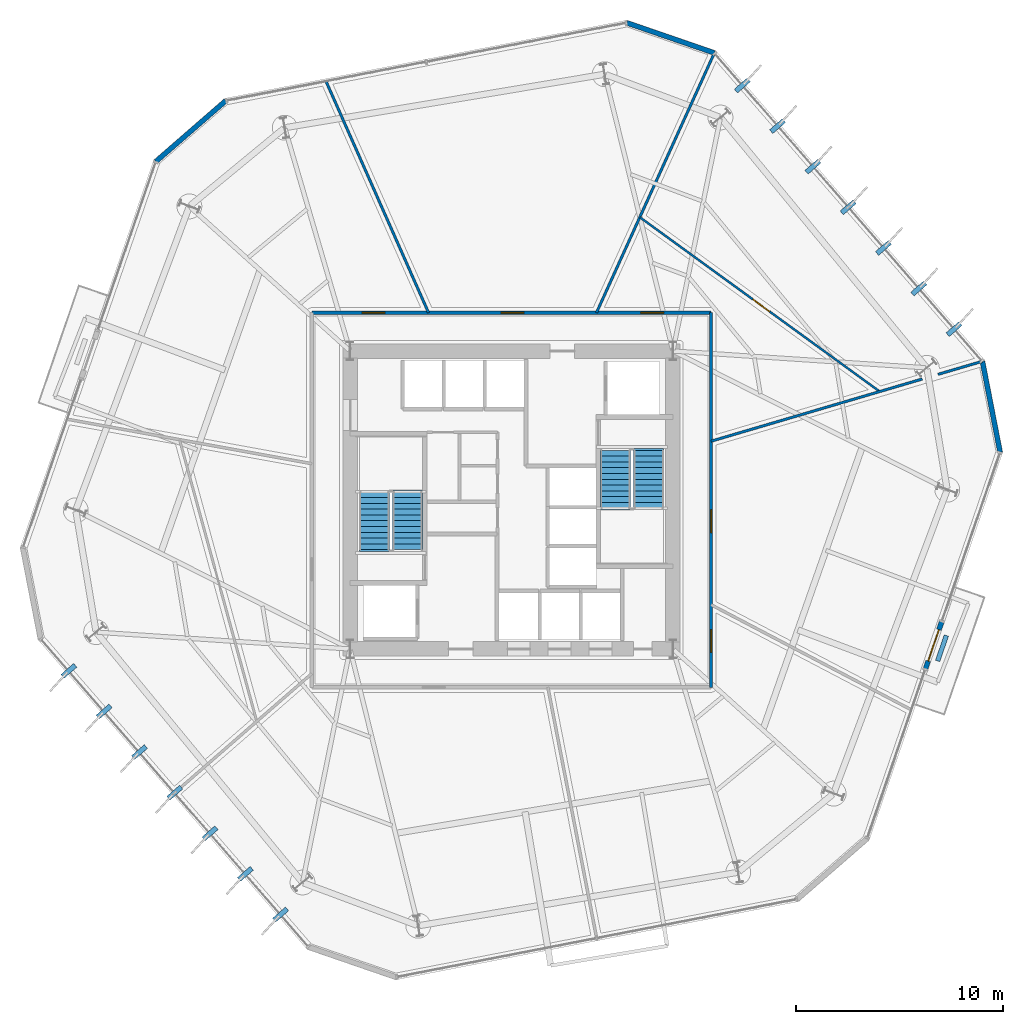
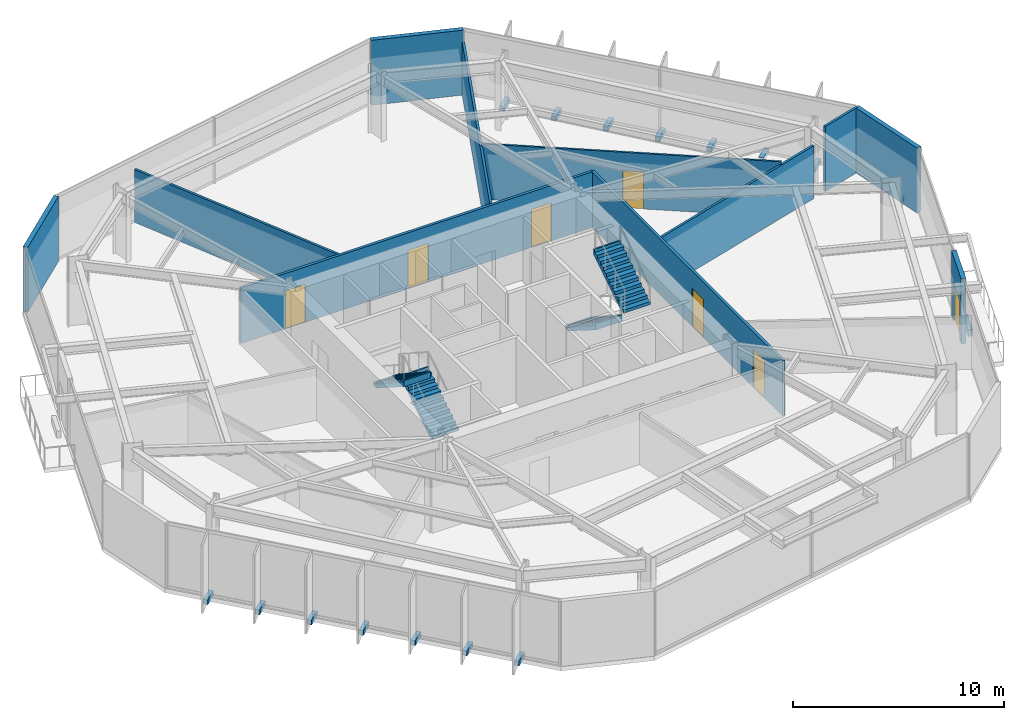
# One storey, part 7 of 10: 14 discrete accessories, 12 walls, 7 doors, 4 stair flights, 7 openings, 2 elements without a shape of their own.
"""IFC4 building model written with IfcOpenShell, lengths in metres."""

from ifc_helpers import new_model, si_unit, direction, frame, frame_2d, origin, origin_2d, place, context, subcontext, project, spatial, polyline, rectangle, outline, extrude, material, layer, layer_set, type_object, element, fill, aggregate, save


model = new_model("IFC4")

# Units and contexts
model_context = context("Model", 3, precision=1e-05, world=origin(), true_north=direction((0.0, 1.0)))
body_context = subcontext(model_context, "Body", "Model", "MODEL_VIEW")
ifc_project = project(units=[si_unit("LENGTHUNIT", "METRE"), si_unit("AREAUNIT", "SQUARE_METRE"), si_unit("VOLUMEUNIT", "CUBIC_METRE"), si_unit("PLANEANGLEUNIT", "RADIAN"), si_unit("MASSUNIT", "GRAM", prefix="KILO")], contexts=[model_context])

# Site, building, storey
site_placement = place(None, origin())
site = spatial("IfcSite", under=ifc_project, at=site_placement, CompositionType="ELEMENT")
building_placement = place(site_placement, origin())
building = spatial("IfcBuilding", under=site, at=building_placement, Name="Kranzbogen Civic Tower", CompositionType="ELEMENT")
storey_placement = place(building_placement, frame((0.0, 0.0, 64.0)))
storey = spatial("IfcBuildingStorey", under=building, at=storey_placement, Name="L15", CompositionType="ELEMENT", Elevation=64.0)

# Wall, openings, doors
ifc_material_1 = material(Name="Double-Stud Acoustic Gypsum Partition")
ifc_layer_1 = layer(ifc_material_1, 0.14990234375, Name="Double-Stud Acoustic Gypsum Partition")
ifc_layer_set_1 = layer_set([ifc_layer_1], Name="Double-Stud Acoustic Gypsum Partition")
wall_type_1 = type_object("IfcWallType", Name="Acoustic Corridor and Clinical Partition 150 mm", PredefinedType="PARTITIONING", material=ifc_layer_set_1)
wall_1_placement = place(storey_placement, frame((15.35009765625, 34.050048828125, 0.0), z_axis=(0.0, 0.0, 1.0), x_axis=(1.0, 0.0, 0.0)))
wall_1 = element("IfcWall", 1, at=wall_1_placement, inside=storey, type_object=wall_type_1, Name="L15 corridor partition 01", PredefinedType="PARTITIONING", context=body_context, shape_type="SweptSolid", body=[
    extrude(rectangle(XDim=19.2998046875, YDim=0.14990234375, at=frame_2d((9.64990234375, 0.0))), origin(), (0.0, 0.0, 1.0), 3.2099609375),
])
opening_1_placement = place(wall_1_placement, frame((15.902099609375, 0.0, 0.0)))
opening_1 = element("IfcOpeningElement", 2, at=opening_1_placement, cuts=wall_1, Name="Opening D-COR60", PredefinedType="OPENING", context=body_context, shape_type="SweptSolid", body=[
    extrude(rectangle(XDim=1.10009765625, YDim=2.199951171875, at=frame_2d((0.550048828125, 1.10009765625))), frame((0.0, 0.0849609375, 0.0), z_axis=(0.0, -1.0, 0.0), x_axis=(1.0, 0.0, 0.0)), (0.0, 0.0, 1.0), 0.169921875),
])
opening_2_placement = place(wall_1_placement, frame((9.14990234375, 0.0, 0.0)))
opening_2 = element("IfcOpeningElement", 3, at=opening_2_placement, cuts=wall_1, Name="Opening D-COR60", PredefinedType="OPENING", context=body_context, shape_type="SweptSolid", body=[
    extrude(rectangle(XDim=1.10009765625, YDim=2.199951171875, at=frame_2d((0.550048828125, 1.10009765625))), frame((0.0, 0.0849609375, 0.0), z_axis=(0.0, -1.0, 0.0), x_axis=(1.0, 0.0, 0.0)), (0.0, 0.0, 1.0), 0.169921875),
])
opening_3_placement = place(wall_1_placement, frame((2.43701171875, 0.0, 0.0)))
opening_3 = element("IfcOpeningElement", 4, at=opening_3_placement, cuts=wall_1, Name="Opening D-COR60", PredefinedType="OPENING", context=body_context, shape_type="SweptSolid", body=[
    extrude(rectangle(XDim=1.10009765625, YDim=2.199951171875, at=frame_2d((0.550048828125, 1.10009765625))), frame((0.0, 0.0849609375, 0.0), z_axis=(0.0, -1.0, 0.0), x_axis=(1.0, 0.0, 0.0)), (0.0, 0.0, 1.0), 0.169921875),
])
ifc_material_2 = material(Name="Oak Timber and Fire Core", Category="wood")
door_type_1 = type_object("IfcDoorType", Name="Corridor Acoustic Fire Door 1100x2200", OperationType="NOTDEFINED", PredefinedType="DOOR", material=ifc_material_2)
door_1_placement = place(opening_1_placement, origin())
door_1 = element("IfcDoor", 5, at=door_1_placement, inside=storey, type_object=door_type_1, Name="L15 Legal Counsel Office door", OperationType="SINGLE_SWING_RIGHT", OverallHeight=2.199951171875, OverallWidth=1.10009765625, PredefinedType="DOOR", context=body_context, shape_type="SweptSolid", body=[
    extrude(rectangle(XDim=1.10009765625, YDim=2.199951171875, at=frame_2d((0.550048828125, 1.10009765625))), frame((0.0, 0.02490234375, 0.0), z_axis=(0.0, -1.0, 0.0), x_axis=(1.0, 0.0, 0.0)), (0.0, 0.0, 1.0), 0.050048828125),
])
fill(opening_1, door_1)
door_2_placement = place(opening_2_placement, origin())
door_2 = element("IfcDoor", 6, at=door_2_placement, inside=storey, type_object=door_type_1, Name="L15 Citizen Services Kiosk door", OperationType="SINGLE_SWING_RIGHT", OverallHeight=2.199951171875, OverallWidth=1.10009765625, PredefinedType="DOOR", context=body_context, shape_type="SweptSolid", body=[
    extrude(rectangle(XDim=1.10009765625, YDim=2.199951171875, at=frame_2d((0.550048828125, 1.10009765625))), frame((0.0, 0.02490234375, 0.0), z_axis=(0.0, -1.0, 0.0), x_axis=(1.0, 0.0, 0.0)), (0.0, 0.0, 1.0), 0.050048828125),
])
fill(opening_2, door_2)
door_3_placement = place(opening_3_placement, origin())
door_3 = element("IfcDoor", 7, at=door_3_placement, inside=storey, type_object=door_type_1, Name="L15 Executive Briefing Conference Room door", OperationType="SINGLE_SWING_LEFT", OverallHeight=2.199951171875, OverallWidth=1.10009765625, PredefinedType="DOOR", context=body_context, shape_type="SweptSolid", body=[
    extrude(rectangle(XDim=1.10009765625, YDim=2.199951171875, at=frame_2d((0.550048828125, 1.10009765625))), frame((0.0, 0.02490234375, 0.0), z_axis=(0.0, -1.0, 0.0), x_axis=(1.0, 0.0, 0.0)), (0.0, 0.0, 1.0), 0.050048828125),
])
fill(opening_3, door_3)

wall_2_placement = place(storey_placement, frame((34.64990234375, 34.050048828125, 0.0), z_axis=(0.0, 0.0, 1.0), x_axis=(0.0, -1.0, 0.0)))
wall_2 = element("IfcWall", 8, at=wall_2_placement, inside=storey, type_object=wall_type_1, Name="L15 corridor partition 02", PredefinedType="PARTITIONING", context=body_context, shape_type="SweptSolid", body=[
    extrude(rectangle(XDim=18.10009765625, YDim=0.14990234375, at=frame_2d((9.050048828125, 0.0))), origin(), (0.0, 0.0, 1.0), 3.2099609375),
])
opening_4_placement = place(wall_2_placement, frame((15.31005859375, 0.0, 0.0)))
opening_4 = element("IfcOpeningElement", 9, at=opening_4_placement, cuts=wall_2, Name="Opening D-COR60", PredefinedType="OPENING", context=body_context, shape_type="SweptSolid", body=[
    extrude(rectangle(XDim=1.10009765625, YDim=2.199951171875, at=frame_2d((0.550048828125, 1.10009765625))), frame((0.0, 0.0849609375, 0.0), z_axis=(0.0, -1.0, 0.0), x_axis=(1.0, 0.0, 0.0)), (0.0, 0.0, 1.0), 0.169921875),
])
opening_5_placement = place(wall_2_placement, frame((9.531982421875, 0.0, 0.0)))
opening_5 = element("IfcOpeningElement", 10, at=opening_5_placement, cuts=wall_2, Name="Opening D-COR60", PredefinedType="OPENING", context=body_context, shape_type="SweptSolid", body=[
    extrude(rectangle(XDim=1.10009765625, YDim=2.199951171875, at=frame_2d((0.550048828125, 1.10009765625))), frame((0.0, 0.0849609375, 0.0), z_axis=(0.0, -1.0, 0.0), x_axis=(1.0, 0.0, 0.0)), (0.0, 0.0, 1.0), 0.169921875),
])
door_4_placement = place(opening_4_placement, origin())
door_4 = element("IfcDoor", 11, at=door_4_placement, inside=storey, type_object=door_type_1, Name="L15 Staff Tea Pantry door", OperationType="SINGLE_SWING_RIGHT", OverallHeight=2.199951171875, OverallWidth=1.10009765625, PredefinedType="DOOR", context=body_context, shape_type="SweptSolid", body=[
    extrude(rectangle(XDim=1.10009765625, YDim=2.199951171875, at=frame_2d((0.550048828125, 1.10009765625))), frame((0.0, 0.02490234375, 0.0), z_axis=(0.0, -1.0, 0.0), x_axis=(1.0, 0.0, 0.0)), (0.0, 0.0, 1.0), 0.050048828125),
])
fill(opening_4, door_4)
door_5_placement = place(opening_5_placement, origin())
door_5 = element("IfcDoor", 12, at=door_5_placement, inside=storey, type_object=door_type_1, Name="L15 Hospitality Catering Kitchen door", OperationType="SINGLE_SWING_LEFT", OverallHeight=2.199951171875, OverallWidth=1.10009765625, PredefinedType="DOOR", context=body_context, shape_type="SweptSolid", body=[
    extrude(rectangle(XDim=1.10009765625, YDim=2.199951171875, at=frame_2d((0.550048828125, 1.10009765625))), frame((0.0, 0.02490234375, 0.0), z_axis=(0.0, -1.0, 0.0), x_axis=(1.0, 0.0, 0.0)), (0.0, 0.0, 1.0), 0.050048828125),
])
fill(opening_5, door_5)

# Walls
ifc_material_3 = material(Name="Insulated Metal-Stud Gypsum Partition")
ifc_layer_2 = layer(ifc_material_3, 0.125, Name="Insulated Metal-Stud Gypsum Partition")
ifc_layer_set_2 = layer_set([ifc_layer_2], Name="Insulated Metal-Stud Gypsum Partition")
wall_type_2 = type_object("IfcWallType", Name="Acoustic Inter-Room Partition 125 mm", PredefinedType="PARTITIONING", material=ifc_layer_set_2)
wall_3_placement = place(storey_placement, frame((29.10693359375, 34.050048828125, 0.0), z_axis=(0.0, 0.0, 1.0), x_axis=(0.413251031514, 0.910617145101, 0.0)))
element("IfcWall", 13, at=wall_3_placement, inside=storey, type_object=wall_type_2, Name="L15 radial room partition 01", PredefinedType="PARTITIONING", context=body_context, shape_type="SweptSolid", body=[
    extrude(rectangle(XDim=13.766357421875, YDim=0.125, at=frame_2d((6.88330078125, 0.0))), origin(), (0.0, 0.0, 1.0), 3.06005859375),
])
wall_4_placement = place(storey_placement, frame((20.991943359375, 34.050048828125, 0.0), z_axis=(0.0, 0.0, 1.0), x_axis=(-0.405038361355, 0.914299691475, 0.0)))
element("IfcWall", 14, at=wall_4_placement, inside=storey, type_object=wall_type_2, Name="L15 radial room partition 02", PredefinedType="PARTITIONING", context=body_context, shape_type="SweptSolid", body=[
    extrude(rectangle(XDim=12.213623046875, YDim=0.125, at=frame_2d((6.10693359375, 0.0))), origin(), (0.0, 0.0, 1.0), 3.06005859375),
])
wall_5_placement = place(storey_placement, frame((34.64990234375, 27.842041015625, 0.0), z_axis=(0.0, 0.0, 1.0), x_axis=(0.959267461701, 0.282499445878, 0.0)))
element("IfcWall", 15, at=wall_5_placement, inside=storey, type_object=wall_type_2, Name="L15 radial room partition 07 part 1", PredefinedType="PARTITIONING", context=body_context, shape_type="SweptSolid", body=[
    extrude(rectangle(XDim=10.63330078125, YDim=0.125, at=frame_2d((5.316650390625, 0.0))), origin(), (0.0, 0.0, 1.0), 3.06005859375),
])
wall_6_placement = place(storey_placement, frame((45.612060546875, 31.071044921875, 0.0), z_axis=(0.0, 0.0, 1.0), x_axis=(0.95931639147, 0.282333244689, 0.0)))
element("IfcWall", 16, at=wall_6_placement, inside=storey, type_object=wall_type_2, Name="L15 radial room partition 07 part 2", PredefinedType="PARTITIONING", context=body_context, shape_type="SweptSolid", body=[
    extrude(rectangle(XDim=2.217041015625, YDim=0.125, at=frame_2d((1.1083984375, 0.0))), origin(), (0.0, 0.0, 1.0), 3.760009765625),
])
ifc_material_4 = material(Name="Architectural Precast Terracotta Concrete C40/50", Category="masonry")
ifc_layer_3 = layer(ifc_material_4, 0.219970703125, Name="Architectural Precast Terracotta Concrete C40/50")
ifc_layer_set_3 = layer_set([ifc_layer_3], Name="Architectural Precast Terracotta Concrete C40/50")
wall_type_3 = type_object("IfcWallType", Name="Architectural Tree Planter Kerb Wall 220 mm", PredefinedType="USERDEFINED", material=ifc_layer_set_3)
wall_7_placement = place(storey_placement, frame((45.593017578125, 17.220947265625, 0.0), z_axis=(0.0, 0.0, 1.0), x_axis=(0.325950201404, 0.945386939938, 0.0)))
element("IfcWall", 17, at=wall_7_placement, inside=storey, type_object=wall_type_3, Name="L15 landscaped tree balcony planter L15-TB1", ObjectType="PLANTER_WALL", PredefinedType="USERDEFINED", context=body_context, shape_type="SweptSolid", body=[
    extrude(rectangle(XDim=1.301025390625, YDim=0.219970703125, at=frame_2d((0.650390625, 0.0))), origin(), (0.0, 0.0, 1.0), 0.39990234375),
])

# Wall, opening, door
ifc_material_5 = material(Name="Demountable Aluminium and Gypsum Partition", Category="aluminium")
ifc_layer_4 = layer(ifc_material_5, 0.10009765625, Name="Demountable Aluminium and Gypsum Partition")
ifc_layer_set_4 = layer_set([ifc_layer_4], Name="Demountable Aluminium and Gypsum Partition")
wall_type_4 = type_object("IfcWallType", Name="Demountable Office Partition 100 mm", PredefinedType="MOVABLE", material=ifc_layer_set_4)
wall_8_placement = place(storey_placement, frame((42.780029296875, 30.251953125, 0.0), z_axis=(0.0, 0.0, 1.0), x_axis=(-0.808986344623, 0.587827435744, 0.0)))
wall_8 = element("IfcWall", 18, at=wall_8_placement, inside=storey, type_object=wall_type_4, Name="L15 suite chord partition 02", PredefinedType="MOVABLE", context=body_context, shape_type="SweptSolid", body=[
    extrude(rectangle(XDim=14.296875, YDim=0.10009765625, at=frame_2d((7.1484375, 0.0))), origin(), (0.0, 0.0, 1.0), 3.2099609375),
])
opening_6_placement = place(wall_8_placement, frame((6.56005859375, 0.0, 0.0)))
opening_6 = element("IfcOpeningElement", 19, at=opening_6_placement, cuts=wall_8, Name="Opening D-OFC10", PredefinedType="OPENING", context=body_context, shape_type="SweptSolid", body=[
    extrude(rectangle(XDim=1.0, YDim=2.14990234375, at=frame_2d((0.5, 1.074951171875))), frame((0.0, 0.06005859375, 0.0), z_axis=(0.0, -1.0, 0.0), x_axis=(1.0, 0.0, 0.0)), (0.0, 0.0, 1.0), 0.1201171875),
])
ifc_material_6 = material(Name="Oak Timber Veneer", Category="wood")
door_type_2 = type_object("IfcDoorType", Name="Standard Office Acoustic Door 1000x2150", OperationType="NOTDEFINED", PredefinedType="DOOR", material=ifc_material_6)
door_6_placement = place(opening_6_placement, origin())
door_6 = element("IfcDoor", 20, at=door_6_placement, inside=storey, type_object=door_type_2, Name="L15 Operations Security Control Room door", OperationType="SINGLE_SWING_LEFT", OverallHeight=2.14990234375, OverallWidth=1.0, PredefinedType="DOOR", context=body_context, shape_type="SweptSolid", body=[
    extrude(rectangle(XDim=1.0, YDim=2.14990234375, at=frame_2d((0.5, 1.074951171875))), frame((0.0, 0.02490234375, 0.0), z_axis=(0.0, -1.0, 0.0), x_axis=(1.0, 0.0, 0.0)), (0.0, 0.0, 1.0), 0.050048828125),
])
fill(opening_6, door_6)

# Walls
ifc_material_7 = material(Name="Pale Anodised Aluminium", Category="aluminium")
ifc_layer_5 = layer(ifc_material_7, 0.239990234375, Name="Pale Anodised Aluminium")
ifc_layer_set_5 = layer_set([ifc_layer_5], Name="Pale Anodised Aluminium")
wall_type_5 = type_object("IfcWallType", Name="Insulated Aluminium Facade Portal Wall 240 mm", PredefinedType="STANDARD", material=ifc_layer_set_5)
wall_9_placement = place(storey_placement, frame((34.803955078125, 46.60400390625, 0.0), z_axis=(0.0, 0.0, 1.0), x_axis=(-0.945549150447, 0.325479345104, 0.0)))
element("IfcWall", 21, at=wall_9_placement, inside=storey, type_object=wall_type_5, Name="L15 chamfered corner facade spandrel 1", PredefinedType="STANDARD", context=body_context, shape_type="SweptSolid", body=[
    extrude(rectangle(XDim=4.4736328125, YDim=0.239990234375, at=frame_2d((2.23681640625, 0.0))), origin(), (0.0, 0.0, 1.0), 3.760009765625),
])
wall_10_placement = place(storey_placement, frame((11.19189453125, 44.2919921875, 0.0), z_axis=(0.0, 0.0, 1.0), x_axis=(-0.75466896477, -0.656105748804, 0.0)))
element("IfcWall", 22, at=wall_10_placement, inside=storey, type_object=wall_type_5, Name="L15 chamfered corner facade spandrel 2", PredefinedType="STANDARD", context=body_context, shape_type="SweptSolid", body=[
    extrude(rectangle(XDim=4.473388671875, YDim=0.239990234375, at=frame_2d((2.23681640625, 0.0))), origin(), (0.0, 0.0, 1.0), 3.760009765625),
])

# Wall, opening, door
wall_11_placement = place(storey_placement, frame((45.007080078125, 16.841064453125, 0.0), z_axis=(0.0, 0.0, 1.0), x_axis=(0.32533555883, 0.945598632698, 0.0)))
wall_11 = element("IfcWall", 23, at=wall_11_placement, inside=storey, type_object=wall_type_5, Name="L15 exterior entrance portal wall 1", PredefinedType="STANDARD", context=body_context, shape_type="SweptSolid", body=[
    extrude(rectangle(XDim=2.400634765625, YDim=0.239990234375, at=frame_2d((1.2001953125, 0.0))), origin(), (0.0, 0.0, 1.0), 3.760009765625),
])
opening_7_placement = place(wall_11_placement, frame((0.39990234375, 0.0, 0.0)))
opening_7 = element("IfcOpeningElement", 24, at=opening_7_placement, cuts=wall_11, Name="Opening D-TER", PredefinedType="OPENING", context=body_context, shape_type="SweptSolid", body=[
    extrude(rectangle(XDim=1.60009765625, YDim=2.25, at=frame_2d((0.800048828125, 1.125))), frame((0.0, 0.1298828125, 0.0), z_axis=(0.0, -1.0, 0.0), x_axis=(1.0, 0.0, 0.0)), (0.0, 0.0, 1.0), 0.260009765625),
])
ifc_material_8 = material(Name="Anodised Bronze and Triple Glass", Category="glass")
door_type_3 = type_object("IfcDoorType", Name="Glazed Terrace and Balcony Double Door 1600x2250", OperationType="DOUBLE_DOOR_SINGLE_SWING", PredefinedType="DOOR", material=ifc_material_8)
door_7_placement = place(opening_7_placement, frame((1.60009765625, 0.0, 0.0), z_axis=(0.0, 0.0, 1.0), x_axis=(-1.0, 0.0, 0.0)))
door_7 = element("IfcDoor", 25, at=door_7_placement, inside=storey, type_object=door_type_3, Name="L15 tree balcony access door L15-TB1", OperationType="DOUBLE_DOOR_SINGLE_SWING", OverallHeight=2.25, OverallWidth=1.60009765625, PredefinedType="DOOR", context=body_context, shape_type="SweptSolid", body=[
    extrude(rectangle(XDim=1.60009765625, YDim=2.25, at=frame_2d((0.800048828125, 1.125))), frame((0.0, 0.02490234375, 0.0), z_axis=(0.0, -1.0, 0.0), x_axis=(1.0, 0.0, 0.0)), (0.0, 0.0, 1.0), 0.050048828125),
])
fill(opening_7, door_7)

# Wall
wall_12_placement = place(storey_placement, frame((48.612060546875, 27.31103515625, 0.0), z_axis=(0.0, 0.0, 1.0), x_axis=(-0.190917867073, 0.981606014668, 0.0)))
element("IfcWall", 26, at=wall_12_placement, inside=storey, type_object=wall_type_5, Name="L15 chamfered corner facade spandrel 6", PredefinedType="STANDARD", context=body_context, shape_type="SweptSolid", body=[
    extrude(rectangle(XDim=4.47314453125, YDim=0.239990234375, at=frame_2d((2.236572265625, 0.0))), origin(), (0.0, 0.0, 1.0), 3.760009765625),
])

# Stair, stair flights
ifc_material_9 = material(Name="Precast concrete C40/50", Category="concrete")
stair_type_1 = type_object("IfcStairType", Name="Tower Core Pressurized Dogleg Stair 1450", PredefinedType="HALF_TURN_STAIR", material=ifc_material_9)
stair_1_placement = place(storey_placement, origin())
stair_1 = element("IfcStair", 27, at=stair_1_placement, inside=storey, type_object=stair_type_1, Name="L15 Tower Core Pressurized Stair 1", PredefinedType="HALF_TURN_STAIR")
stair_flight_type = type_object("IfcStairFlightType", Name="Precast Concrete Stair Flight R180", PredefinedType="STRAIGHT", material=ifc_material_9)
stair_flight_1_placement = place(storey_placement, frame((19.97509765625, 22.60009765625, 0.0), z_axis=(0.0, 0.0, 1.0), x_axis=(0.0, 1.0, 0.0)))
stair_flight_1 = element("IfcStairFlight", 28, at=stair_flight_1_placement, type_object=stair_flight_type, Name="ST-T1 flight 1", NumberOfRisers=11, NumberOfTreads=10, PredefinedType="STRAIGHT", RiserHeight=0.181818182, TreadLength=0.28, context=body_context, shape_type="SweptSolid", body=[
    extrude(outline(polyline([(0.0, 0.0), (0.0, 0.181884765625), (0.280029296875, 0.181884765625), (0.280029296875, 0.363525390625), (0.56005859375, 0.363525390625), (0.56005859375, 0.54541015625), (0.840087890625, 0.54541015625), (0.840087890625, 0.727294921875), (1.1201171875, 0.727294921875), (1.1201171875, 0.9091796875), (1.39990234375, 0.9091796875), (1.39990234375, 1.0908203125), (1.679931640625, 1.0908203125), (1.679931640625, 1.272705078125), (1.9599609375, 1.272705078125), (1.9599609375, 1.45458984375), (2.239990234375, 1.45458984375), (2.239990234375, 1.636474609375), (2.52001953125, 1.636474609375), (2.52001953125, 1.818115234375), (2.800048828125, 1.818115234375), (2.800048828125, 2.0), (2.880126953125, 2.0), (2.880126953125, 1.639404296875), (0.275146484375, 0.0), (0.0, 0.0)])), frame((0.0, 0.72509765625, 0.0), z_axis=(0.0, -1.0, 0.0), x_axis=(1.0, 0.0, 0.0)), (0.0, 0.0, 1.0), 1.449951171875),
])
stair_flight_2_placement = place(storey_placement, frame((18.375, 25.39990234375, 2.0), z_axis=(0.0, 0.0, 1.0), x_axis=(0.0, -1.0, 0.0)))
stair_flight_2 = element("IfcStairFlight", 29, at=stair_flight_2_placement, type_object=stair_flight_type, Name="ST-T1 flight 2", NumberOfRisers=11, NumberOfTreads=10, PredefinedType="STRAIGHT", RiserHeight=0.181818182, TreadLength=0.28, context=body_context, shape_type="SweptSolid", body=[
    extrude(outline(polyline([(0.0, 0.0), (0.0, 0.181884765625), (0.280029296875, 0.181884765625), (0.280029296875, 0.363525390625), (0.56005859375, 0.363525390625), (0.56005859375, 0.54541015625), (0.840087890625, 0.54541015625), (0.840087890625, 0.727294921875), (1.1201171875, 0.727294921875), (1.1201171875, 0.9091796875), (1.39990234375, 0.9091796875), (1.39990234375, 1.0908203125), (1.679931640625, 1.0908203125), (1.679931640625, 1.272705078125), (1.9599609375, 1.272705078125), (1.9599609375, 1.45458984375), (2.239990234375, 1.45458984375), (2.239990234375, 1.636474609375), (2.52001953125, 1.636474609375), (2.52001953125, 1.818115234375), (2.800048828125, 1.818115234375), (2.800048828125, 2.0), (2.880126953125, 2.0), (2.880126953125, 1.639404296875), (0.275146484375, 0.0), (0.0, 0.0)])), frame((0.0, 0.72509765625, 0.0), z_axis=(0.0, -1.0, 0.0), x_axis=(1.0, 0.0, 0.0)), (0.0, 0.0, 1.0), 1.449951171875),
])
aggregate(stair_1, [stair_flight_1, stair_flight_2])

stair_type_2 = type_object("IfcStairType", Name="Tower Core Secondary Dogleg Stair 1450", PredefinedType="HALF_TURN_STAIR", material=ifc_material_9)
stair_2_placement = place(storey_placement, origin())
stair_2 = element("IfcStair", 30, at=stair_2_placement, inside=storey, type_object=stair_type_2, Name="L15 Tower Core Pressurized Stair 2", PredefinedType="HALF_TURN_STAIR")
stair_flight_3_placement = place(storey_placement, frame((30.02490234375, 27.39990234375, 0.0), z_axis=(0.0, 0.0, 1.0), x_axis=(0.0, -1.0, 0.0)))
stair_flight_3 = element("IfcStairFlight", 31, at=stair_flight_3_placement, type_object=stair_flight_type, Name="ST-T2 flight 1", NumberOfRisers=11, NumberOfTreads=10, PredefinedType="STRAIGHT", RiserHeight=0.181818182, TreadLength=0.28, context=body_context, shape_type="SweptSolid", body=[
    extrude(outline(polyline([(0.0, 0.0), (0.0, 0.181884765625), (0.280029296875, 0.181884765625), (0.280029296875, 0.363525390625), (0.56005859375, 0.363525390625), (0.56005859375, 0.54541015625), (0.840087890625, 0.54541015625), (0.840087890625, 0.727294921875), (1.1201171875, 0.727294921875), (1.1201171875, 0.9091796875), (1.39990234375, 0.9091796875), (1.39990234375, 1.0908203125), (1.679931640625, 1.0908203125), (1.679931640625, 1.272705078125), (1.9599609375, 1.272705078125), (1.9599609375, 1.45458984375), (2.239990234375, 1.45458984375), (2.239990234375, 1.636474609375), (2.52001953125, 1.636474609375), (2.52001953125, 1.818115234375), (2.800048828125, 1.818115234375), (2.800048828125, 2.0), (2.880126953125, 2.0), (2.880126953125, 1.639404296875), (0.275146484375, 0.0), (0.0, 0.0)])), frame((0.0, 0.72509765625, 0.0), z_axis=(0.0, -1.0, 0.0), x_axis=(1.0, 0.0, 0.0)), (0.0, 0.0, 1.0), 1.449951171875),
])
stair_flight_4_placement = place(storey_placement, frame((31.625, 24.60009765625, 2.0), z_axis=(0.0, 0.0, 1.0), x_axis=(0.0, 1.0, 0.0)))
stair_flight_4 = element("IfcStairFlight", 32, at=stair_flight_4_placement, type_object=stair_flight_type, Name="ST-T2 flight 2", NumberOfRisers=11, NumberOfTreads=10, PredefinedType="STRAIGHT", RiserHeight=0.181818182, TreadLength=0.28, context=body_context, shape_type="SweptSolid", body=[
    extrude(outline(polyline([(0.0, 0.0), (0.0, 0.181884765625), (0.280029296875, 0.181884765625), (0.280029296875, 0.363525390625), (0.56005859375, 0.363525390625), (0.56005859375, 0.54541015625), (0.840087890625, 0.54541015625), (0.840087890625, 0.727294921875), (1.1201171875, 0.727294921875), (1.1201171875, 0.9091796875), (1.39990234375, 0.9091796875), (1.39990234375, 1.0908203125), (1.679931640625, 1.0908203125), (1.679931640625, 1.272705078125), (1.9599609375, 1.272705078125), (1.9599609375, 1.45458984375), (2.239990234375, 1.45458984375), (2.239990234375, 1.636474609375), (2.52001953125, 1.636474609375), (2.52001953125, 1.818115234375), (2.800048828125, 1.818115234375), (2.800048828125, 2.0), (2.880126953125, 2.0), (2.880126953125, 1.639404296875), (0.275146484375, 0.0), (0.0, 0.0)])), frame((0.0, 0.72509765625, 0.0), z_axis=(0.0, -1.0, 0.0), x_axis=(1.0, 0.0, 0.0)), (0.0, 0.0, 1.0), 1.449951171875),
])
aggregate(stair_2, [stair_flight_3, stair_flight_4])

# Discrete accessories
ifc_material_10 = material(Name="Steel S355", Category="steel")
discrete_accessory_type = type_object("IfcDiscreteAccessoryType", Name="Structural Curtain-Wall Fin Support Bracket", PredefinedType="BRACKET", material=ifc_material_10)
for number, where, z_axis, x_axis, name in (
    (33, (46.388916015625, 33.258056640625, -0.25), (0.0, 0.0, 1.0), (0.754709580223, 0.656059028991, 0.0), "L15 facade fin support bracket F1-1"),
    (34, (44.68310546875, 35.219970703125, -0.25), (0.0, 0.0, 1.0), (0.754709580223, 0.656059028991, 0.0), "L15 facade fin support bracket F1-2"),
    (35, (42.97705078125, 37.181884765625, -0.25), (0.0, 0.0, 1.0), (0.754709580223, 0.656059028991, 0.0), "L15 facade fin support bracket F1-3"),
    (36, (41.27099609375, 39.14501953125, -0.25), (0.0, 0.0, 1.0), (0.754709580223, 0.656059028991, 0.0), "L15 facade fin support bracket F1-4"),
    (37, (39.56591796875, 41.10693359375, -0.25), (0.0, 0.0, 1.0), (0.754709580223, 0.656059028991, 0.0), "L15 facade fin support bracket F1-5"),
    (38, (37.860107421875, 43.069091796875, -0.25), (0.0, 0.0, 1.0), (0.754709580223, 0.656059028991, 0.0), "L15 facade fin support bracket F1-6"),
    (39, (36.154052734375, 45.031005859375, -0.25), (0.0, 0.0, 1.0), (0.754709580223, 0.656059028991, 0.0), "L15 facade fin support bracket F1-7"),
    (40, (3.611083984375, 16.741943359375, -0.25), (0.0, 0.0, 1.0), (-0.754709580223, -0.656059028991, 0.0), "L15 facade fin support bracket F4-1"),
    (41, (5.31689453125, 14.780029296875, -0.25), (0.0, 0.0, 1.0), (-0.754709580223, -0.656059028991, 0.0), "L15 facade fin support bracket F4-2"),
    (42, (7.02294921875, 12.818115234375, -0.25), (0.0, 0.0, 1.0), (-0.754709580223, -0.656059028991, 0.0), "L15 facade fin support bracket F4-3"),
    (43, (8.72900390625, 10.85498046875, -0.25), (0.0, 0.0, 1.0), (-0.754709580223, -0.656059028991, 0.0), "L15 facade fin support bracket F4-4"),
    (44, (10.43408203125, 8.89306640625, -0.25), (0.0, 0.0, 1.0), (-0.754709580223, -0.656059028991, 0.0), "L15 facade fin support bracket F4-5"),
    (45, (12.139892578125, 6.930908203125, -0.25), (0.0, 0.0, 1.0), (-0.754709580223, -0.656059028991, 0.0), "L15 facade fin support bracket F4-6"),
    (46, (13.845947265625, 4.968994140625, -0.25), (0.0, 0.0, 1.0), (-0.754709580223, -0.656059028991, 0.0), "L15 facade fin support bracket F4-7"),
):
    element("IfcDiscreteAccessory", number, at=place(storey_placement, frame(where, z_axis=z_axis, x_axis=x_axis)), inside=storey, type_object=discrete_accessory_type, Name=name, PredefinedType="BRACKET", context=body_context, shape_type="SweptSolid", body=[
        extrude(rectangle(XDim=0.820068359375, YDim=0.239990234375, at=origin_2d()), origin(), (0.0, 0.0, 1.0), 0.280029296875),
    ])

save(model, "model.ifc")
